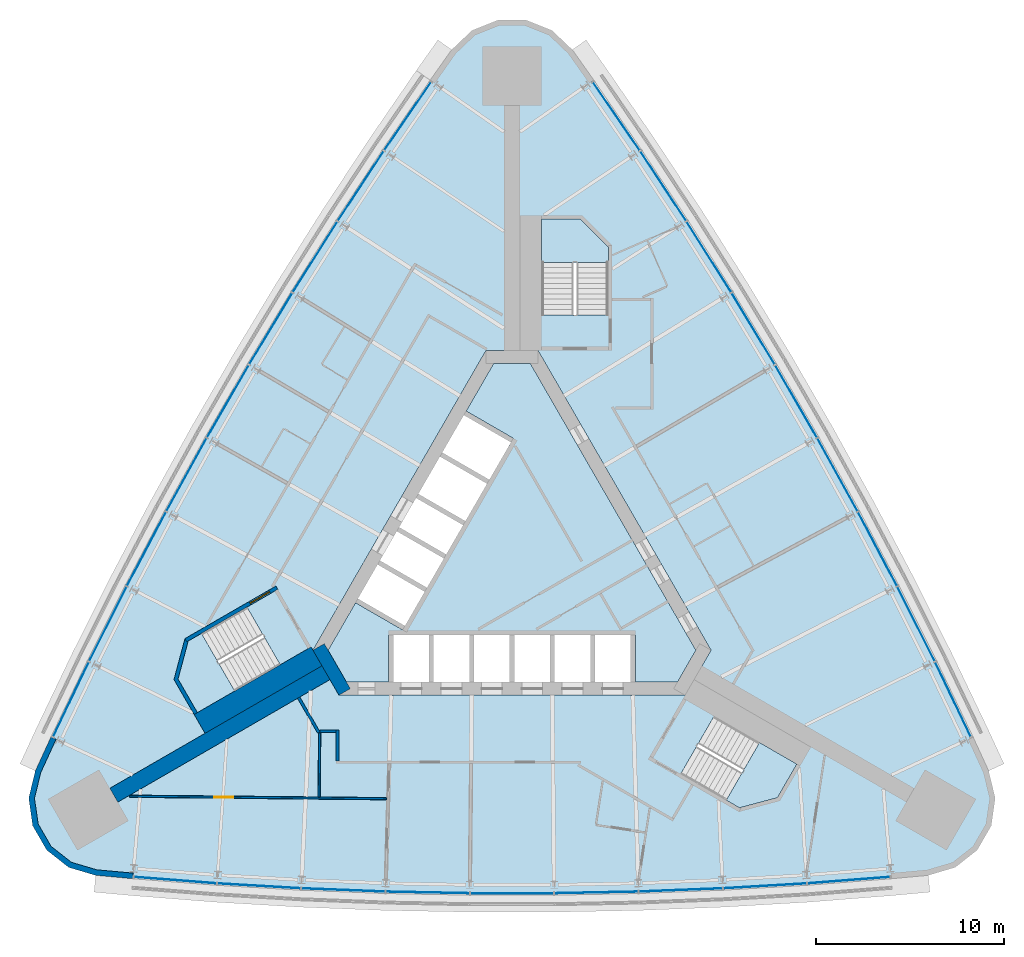
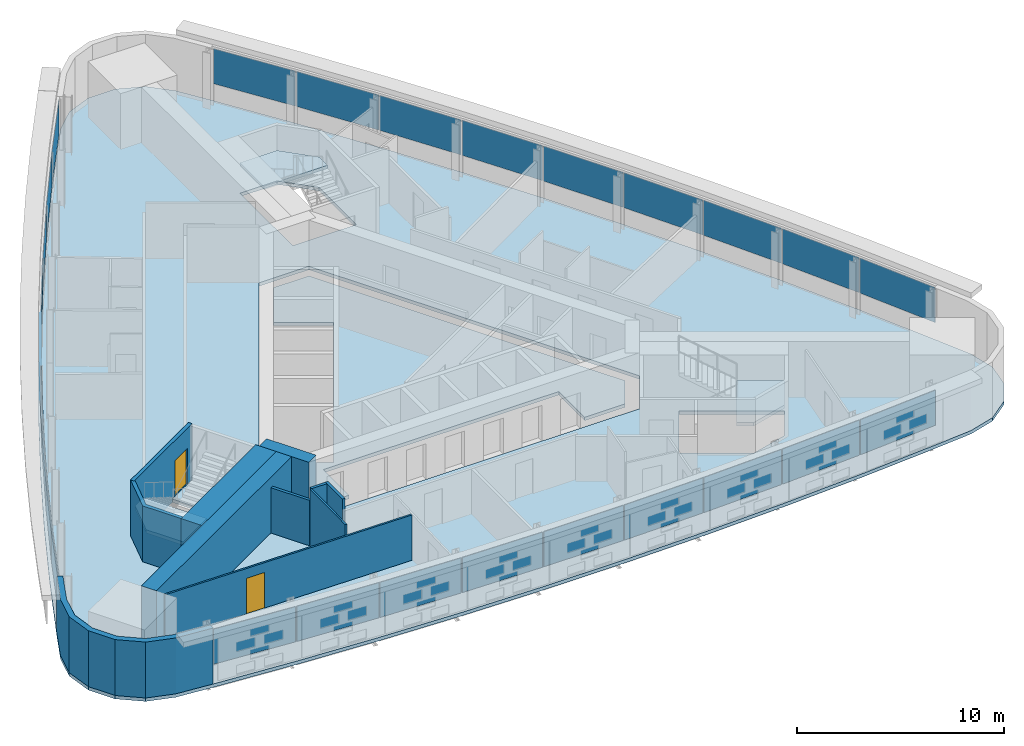
# One storey, part 7 of 13: 27 plates, 11 walls, 5 slabs, 2 doors, 2 openings, 6 elements without a shape of their own.
"""IFC4 building model written with IfcOpenShell, lengths in metres."""

from ifc_helpers import new_model, si_unit, direction, frame, frame_2d, origin, origin_2d, place, context, subcontext, project, spatial, polyline, rectangle, outline, extrude, material, layer, layer_set, type_object, element, fill, aggregate, save


model = new_model("IFC4")

# Units and contexts
model_context = context("Model", 3, precision=1e-05, world=origin(), true_north=direction((0.0, 1.0)))
body_context = subcontext(model_context, "Body", "Model", "MODEL_VIEW")
ifc_project = project(units=[si_unit("LENGTHUNIT", "METRE"), si_unit("AREAUNIT", "SQUARE_METRE"), si_unit("VOLUMEUNIT", "CUBIC_METRE"), si_unit("PLANEANGLEUNIT", "RADIAN"), si_unit("MASSUNIT", "GRAM", prefix="KILO")], contexts=[model_context])

# Site, building, storey
site_placement = place(None, origin())
site = spatial("IfcSite", under=ifc_project, at=site_placement, CompositionType="ELEMENT")
building_placement = place(site_placement, origin())
building = spatial("IfcBuilding", under=site, at=building_placement, Name="Noor Cloister Tower", CompositionType="ELEMENT")
storey_placement = place(building_placement, frame((0.0, 0.0, 83.39990234375)))
storey = spatial("IfcBuildingStorey", under=building, at=storey_placement, Name="L21", CompositionType="ELEMENT", Elevation=83.39990234375)

# Slabs
ifc_material_1 = material(Name="Concrete C40/50", Category="concrete")
ifc_layer_1 = layer(ifc_material_1, 0.199951171875)
ifc_layer_set_1 = layer_set([ifc_layer_1], Name="Core floor slab 200 C40/50")
slab_type_1 = type_object("IfcSlabType", Name="Core floor slab 200 C40/50", PredefinedType="FLOOR", material=ifc_layer_set_1)
slab_1_placement = place(storey_placement, frame((0.0, 0.0, -0.199951171875)))
element("IfcSlab", 1, at=slab_1_placement, inside=storey, type_object=slab_type_1, Name="Core floor L21", PredefinedType="FLOOR", context=body_context, shape_type="SweptSolid", body=[
    extrude(outline(polyline([(-6.574951171875, -6.228271484375), (-6.574951171875, -3.728271484375), (6.574951171875, -3.728271484375), (6.574951171875, -6.228271484375), (8.82470703125, -6.228271484375), (9.80615234375, -4.5283203125), (0.9814453125, 10.75634765625), (-0.9814453125, 10.75634765625), (-2.44384765625, 8.2236328125), (0.067626953125, 6.773681640625), (-5.832275390625, -3.4453125), (-8.34375, -1.995361328125), (-9.80615234375, -4.5283203125), (-8.82470703125, -6.228271484375), (-6.574951171875, -6.228271484375)])), origin(), (0.0, 0.0, 1.0), 0.199951171875),
])
ifc_material_2 = material(Name="Concrete C40/50", Category="concrete")
ifc_layer_2 = layer(ifc_material_2, 0.199951171875)
ifc_layer_set_2 = layer_set([ifc_layer_2], Name="Floor slab 200 C40/50")
slab_type_2 = type_object("IfcSlabType", Name="Floor slab 200 C40/50", PredefinedType="FLOOR", material=ifc_layer_set_2)
slab_2_placement = place(storey_placement, frame((0.0, 0.0, -0.199951171875)))
element("IfcSlab", 2, at=slab_2_placement, inside=storey, type_object=slab_type_2, Name="Floor slab L21", PredefinedType="FLOOR", context=body_context, shape_type="SweptSolid", body=[
    extrude(outline(polyline([(3.216796875, 27.4951171875), (2.134521484375, 28.525390625), (0.7470703125, 29.080078125), (-0.7470703125, 29.080078125), (-2.134521484375, 28.525390625), (-3.216796875, 27.4951171875), (-4.3642578125, 25.87255859375), (-6.910888671875, 22.162353515625), (-9.384521484375, 18.4033203125), (-11.78466796875, 14.596923828125), (-14.110107421875, 10.744384765625), (-16.360107421875, 6.847412109375), (-18.53369140625, 2.9072265625), (-20.630126953125, -1.074462890625), (-22.648681640625, -5.09619140625), (-24.58837890625, -9.15673828125), (-25.419921875, -10.961669921875), (-25.770751953125, -12.4140625), (-25.5576171875, -13.89306640625), (-24.810546875, -15.18701171875), (-23.636474609375, -16.111083984375), (-22.203125, -16.533447265625), (-20.22412109375, -16.7158203125), (-15.73779296875, -17.066162109375), (-11.24560546875, -17.328857421875), (-6.7490234375, -17.504150390625), (-2.25, -17.591796875), (2.25, -17.591796875), (6.7490234375, -17.504150390625), (11.24560546875, -17.328857421875), (15.73779296875, -17.066162109375), (20.22412109375, -16.7158203125), (22.203125, -16.533447265625), (23.636474609375, -16.111083984375), (24.810546875, -15.18701171875), (25.5576171875, -13.89306640625), (25.770751953125, -12.4140625), (25.419921875, -10.961669921875), (24.58837890625, -9.15673828125), (22.648681640625, -5.09619140625), (20.630126953125, -1.074462890625), (18.53369140625, 2.9072265625), (16.360107421875, 6.847412109375), (14.110107421875, 10.744384765625), (11.78466796875, 14.596923828125), (9.384521484375, 18.4033203125), (6.910888671875, 22.162353515625), (4.3642578125, 25.87255859375), (3.216796875, 27.4951171875)]), holes=[polyline([(8.999755859375, -11.126220703125), (12.131591796875, -12.934326171875), (14.1572265625, -12.3916015625), (15.19091796875, -10.601318359375), (10.774658203125, -8.0517578125), (8.999755859375, -11.126220703125)]), polyline([(-17.81005859375, -6.064697265625), (-16.776611328125, -7.85498046875), (-12.3603515625, -5.305419921875), (-14.13525390625, -2.23095703125), (-16.662841796875, -3.690185546875), (-17.267333984375, -4.039306640625), (-17.81005859375, -6.064697265625)]), polyline([(-10.6142578125, -4.5283203125), (-9.228759765625, -6.92822265625), (9.228759765625, -6.92822265625), (10.6142578125, -4.5283203125), (1.3857421875, 11.456298828125), (-1.3857421875, 11.456298828125), (-10.6142578125, -4.5283203125)]), polyline([(3.65283203125, 18.456298828125), (1.585693359375, 18.456298828125), (1.585693359375, 13.35693359375), (5.135498046875, 13.35693359375), (5.135498046875, 16.9736328125), (3.65283203125, 18.456298828125)])]), origin(), (0.0, 0.0, 1.0), 0.199951171875),
])

# Curtain wall, plates
ifc_material_3 = material(Name="Aluminium 6063-T6 anodised", Category="aluminium")
curtain_wall_type = type_object("IfcCurtainWallType", Name="Ribbon curtain wall, lower tower CW1", PredefinedType="NOTDEFINED", material=ifc_material_3)
curtain_wall_1_placement = place(storey_placement, origin())
curtain_wall_1 = element("IfcCurtainWall", 3, at=curtain_wall_1_placement, inside=storey, type_object=curtain_wall_type, Name="CW1 L21 NW run 1", PredefinedType="NOTDEFINED")
ifc_material_4 = material(Name="Clear laminated glass 2 x 8 mm", Category="glass")
ifc_layer_3 = layer(ifc_material_4, 0.028076171875)
ifc_layer_set_3 = layer_set([ifc_layer_3], Name="Glass panel CW1")
plate_type = type_object("IfcPlateType", Name="Glass panel CW1", PredefinedType="CURTAIN_PANEL", material=ifc_layer_set_3)
plate_1_placement = place(storey_placement, frame((-5.566162109375, 23.94482421875, 1.08984375), z_axis=(0.0, 0.0, 1.0), x_axis=(-0.565895290492, -0.82447711927, 0.0)))
plate_1 = element("IfcPlate", 4, at=plate_1_placement, type_object=plate_type, Name="CW1 glass panel 1", PredefinedType="CURTAIN_PANEL", context=body_context, shape_type="SweptSolid", body=[
    extrude(rectangle(XDim=4.39892578125, YDim=0.028076171875, at=origin_2d()), origin(), (0.0, 0.0, 1.0), 2.070068359375),
])
plate_2_placement = place(storey_placement, frame((-8.064208984375, 20.22802734375, 1.08984375), z_axis=(0.0, 0.0, 1.0), x_axis=(-0.549728136539, -0.835343627436, 0.0)))
plate_2 = element("IfcPlate", 5, at=plate_2_placement, type_object=plate_type, Name="CW1 glass panel 2", PredefinedType="CURTAIN_PANEL", context=body_context, shape_type="SweptSolid", body=[
    extrude(rectangle(XDim=4.43798828125, YDim=0.028076171875, at=origin_2d()), origin(), (0.0, 0.0, 1.0), 2.070068359375),
])
plate_3_placement = place(storey_placement, frame((-10.5, 16.44677734375, 1.08984375), z_axis=(0.0, 0.0, 1.0), x_axis=(-0.533352369157, -0.845893167199, 0.0)))
plate_3 = element("IfcPlate", 6, at=plate_3_placement, type_object=plate_type, Name="CW1 glass panel 3", PredefinedType="CURTAIN_PANEL", context=body_context, shape_type="SweptSolid", body=[
    extrude(rectangle(XDim=4.43798828125, YDim=0.028076171875, at=origin_2d()), origin(), (0.0, 0.0, 1.0), 2.070068359375),
])
plate_4_placement = place(storey_placement, frame((-12.86181640625, 12.619140625, 1.08984375), z_axis=(0.0, 0.0, 1.0), x_axis=(-0.516774231602, -0.856121716552, 0.0)))
plate_4 = element("IfcPlate", 7, at=plate_4_placement, type_object=plate_type, Name="CW1 glass panel 4", PredefinedType="CURTAIN_PANEL", context=body_context, shape_type="SweptSolid", body=[
    extrude(rectangle(XDim=4.43798828125, YDim=0.028076171875, at=origin_2d()), origin(), (0.0, 0.0, 1.0), 2.070068359375),
])
plate_5_placement = place(storey_placement, frame((-15.1484375, 8.745849609375, 1.08984375), z_axis=(0.0, 0.0, 1.0), x_axis=(-0.5, -0.866025403784, 0.0)))
plate_5 = element("IfcPlate", 8, at=plate_5_placement, type_object=plate_type, Name="CW1 glass panel 5", PredefinedType="CURTAIN_PANEL", context=body_context, shape_type="SweptSolid", body=[
    extrude(rectangle(XDim=4.43798828125, YDim=0.028076171875, at=origin_2d()), origin(), (0.0, 0.0, 1.0), 2.070068359375),
])
plate_6_placement = place(storey_placement, frame((-17.359130859375, 4.8291015625, 1.08984375), z_axis=(0.0, 0.0, 1.0), x_axis=(-0.483036039464, -0.875600470865, 0.0)))
plate_6 = element("IfcPlate", 9, at=plate_6_placement, type_object=plate_type, Name="CW1 glass panel 6", PredefinedType="CURTAIN_PANEL", context=body_context, shape_type="SweptSolid", body=[
    extrude(rectangle(XDim=4.43798828125, YDim=0.028076171875, at=origin_2d()), origin(), (0.0, 0.0, 1.0), 2.070068359375),
])
plate_7_placement = place(storey_placement, frame((-19.493408203125, 0.869873046875, 1.08984375), z_axis=(0.0, 0.0, 1.0), x_axis=(-0.465888787104, -0.884843284458, 0.0)))
plate_7 = element("IfcPlate", 10, at=plate_7_placement, type_object=plate_type, Name="CW1 glass panel 7", PredefinedType="CURTAIN_PANEL", context=body_context, shape_type="SweptSolid", body=[
    extrude(rectangle(XDim=4.43798828125, YDim=0.028076171875, at=origin_2d()), origin(), (0.0, 0.0, 1.0), 2.070068359375),
])
plate_8_placement = place(storey_placement, frame((-21.550048828125, -3.130126953125, 1.08984375), z_axis=(0.0, 0.0, 1.0), x_axis=(-0.448564733979, -0.893750345136, 0.0)))
plate_8 = element("IfcPlate", 11, at=plate_8_placement, type_object=plate_type, Name="CW1 glass panel 8", PredefinedType="CURTAIN_PANEL", context=body_context, shape_type="SweptSolid", body=[
    extrude(rectangle(XDim=4.43798828125, YDim=0.028076171875, at=origin_2d()), origin(), (0.0, 0.0, 1.0), 2.070068359375),
])
plate_9_placement = place(storey_placement, frame((-23.519775390625, -7.15185546875, 1.08984375), z_axis=(0.0, 0.0, 1.0), x_axis=(-0.431070484881, -0.902318257083, 0.0)))
plate_9 = element("IfcPlate", 12, at=plate_9_placement, type_object=plate_type, Name="CW1 glass panel 9", PredefinedType="CURTAIN_PANEL", context=body_context, shape_type="SweptSolid", body=[
    extrude(rectangle(XDim=4.39892578125, YDim=0.028076171875, at=origin_2d()), origin(), (0.0, 0.0, 1.0), 2.070068359375),
])
aggregate(curtain_wall_1, [plate_1, plate_2, plate_3, plate_4, plate_5, plate_6, plate_7, plate_8, plate_9])

curtain_wall_2_placement = place(storey_placement, origin())
curtain_wall_2 = element("IfcCurtainWall", 13, at=curtain_wall_2_placement, inside=storey, type_object=curtain_wall_type, Name="CW1 L21 S run 2", PredefinedType="NOTDEFINED")
plate_10_placement = place(storey_placement, frame((-17.95361328125, -16.792724609375, 1.08984375), z_axis=(0.0, 0.0, 1.0), x_axis=(0.996965775372, -0.077841137813, 0.0)))
plate_10 = element("IfcPlate", 14, at=plate_10_placement, type_object=plate_type, Name="CW1 glass panel 1", PredefinedType="CURTAIN_PANEL", context=body_context, shape_type="SweptSolid", body=[
    extrude(rectangle(XDim=4.39892578125, YDim=0.028076171875, at=origin_2d()), origin(), (0.0, 0.0, 1.0), 2.070068359375),
])
plate_11_placement = place(storey_placement, frame((-13.48583984375, -17.09765625, 1.08984375), z_axis=(0.0, 0.0, 1.0), x_axis=(0.998292870518, -0.0584067177, 0.0)))
plate_11 = element("IfcPlate", 15, at=plate_11_placement, type_object=plate_type, Name="CW1 glass panel 2", PredefinedType="CURTAIN_PANEL", context=body_context, shape_type="SweptSolid", body=[
    extrude(rectangle(XDim=4.43798828125, YDim=0.028076171875, at=origin_2d()), origin(), (0.0, 0.0, 1.0), 2.070068359375),
])
plate_12_placement = place(storey_placement, frame((-8.993408203125, -17.316650390625, 1.08984375), z_axis=(0.0, 0.0, 1.0), x_axis=(0.999241156261, -0.038950117259, 0.0)))
plate_12 = element("IfcPlate", 16, at=plate_12_placement, type_object=plate_type, Name="CW1 glass panel 3", PredefinedType="CURTAIN_PANEL", context=body_context, shape_type="SweptSolid", body=[
    extrude(rectangle(XDim=4.43798828125, YDim=0.028076171875, at=origin_2d()), origin(), (0.0, 0.0, 1.0), 2.070068359375),
])
plate_13_placement = place(storey_placement, frame((-4.49755859375, -17.447998046875, 1.08984375), z_axis=(0.0, 0.0, 1.0), x_axis=(0.999810271067, -0.019478754313, 0.0)))
plate_13 = element("IfcPlate", 17, at=plate_13_placement, type_object=plate_type, Name="CW1 glass panel 4", PredefinedType="CURTAIN_PANEL", context=body_context, shape_type="SweptSolid", body=[
    extrude(rectangle(XDim=4.43798828125, YDim=0.028076171875, at=origin_2d()), origin(), (0.0, 0.0, 1.0), 2.070068359375),
])
plate_14_placement = place(storey_placement, frame((0.0, -17.491943359375, 1.08984375), z_axis=(0.0, 0.0, 1.0), x_axis=(1.0, 0.0, 0.0)))
plate_14 = element("IfcPlate", 18, at=plate_14_placement, type_object=plate_type, Name="CW1 glass panel 5", PredefinedType="CURTAIN_PANEL", context=body_context, shape_type="SweptSolid", body=[
    extrude(rectangle(XDim=4.43798828125, YDim=0.028076171875, at=origin_2d()), origin(), (0.0, 0.0, 1.0), 2.070068359375),
])
plate_15_placement = place(storey_placement, frame((4.49755859375, -17.447998046875, 1.08984375), z_axis=(0.0, 0.0, 1.0), x_axis=(0.999810271067, 0.019478754313, 0.0)))
plate_15 = element("IfcPlate", 19, at=plate_15_placement, type_object=plate_type, Name="CW1 glass panel 6", PredefinedType="CURTAIN_PANEL", context=body_context, shape_type="SweptSolid", body=[
    extrude(rectangle(XDim=4.43798828125, YDim=0.028076171875, at=origin_2d()), origin(), (0.0, 0.0, 1.0), 2.070068359375),
])
plate_16_placement = place(storey_placement, frame((8.993408203125, -17.316650390625, 1.08984375), z_axis=(0.0, 0.0, 1.0), x_axis=(0.999241156261, 0.038950117259, 0.0)))
plate_16 = element("IfcPlate", 20, at=plate_16_placement, type_object=plate_type, Name="CW1 glass panel 7", PredefinedType="CURTAIN_PANEL", context=body_context, shape_type="SweptSolid", body=[
    extrude(rectangle(XDim=4.43798828125, YDim=0.028076171875, at=origin_2d()), origin(), (0.0, 0.0, 1.0), 2.070068359375),
])
plate_17_placement = place(storey_placement, frame((13.48583984375, -17.09765625, 1.08984375), z_axis=(0.0, 0.0, 1.0), x_axis=(0.998292870518, 0.0584067177, 0.0)))
plate_17 = element("IfcPlate", 21, at=plate_17_placement, type_object=plate_type, Name="CW1 glass panel 8", PredefinedType="CURTAIN_PANEL", context=body_context, shape_type="SweptSolid", body=[
    extrude(rectangle(XDim=4.43798828125, YDim=0.028076171875, at=origin_2d()), origin(), (0.0, 0.0, 1.0), 2.070068359375),
])
plate_18_placement = place(storey_placement, frame((17.95361328125, -16.792724609375, 1.08984375), z_axis=(0.0, 0.0, 1.0), x_axis=(0.996965775372, 0.077841137813, 0.0)))
plate_18 = element("IfcPlate", 22, at=plate_18_placement, type_object=plate_type, Name="CW1 glass panel 9", PredefinedType="CURTAIN_PANEL", context=body_context, shape_type="SweptSolid", body=[
    extrude(rectangle(XDim=4.39892578125, YDim=0.028076171875, at=origin_2d()), origin(), (0.0, 0.0, 1.0), 2.070068359375),
])
aggregate(curtain_wall_2, [plate_10, plate_11, plate_12, plate_13, plate_14, plate_15, plate_16, plate_17, plate_18])

curtain_wall_3_placement = place(storey_placement, origin())
curtain_wall_3 = element("IfcCurtainWall", 23, at=curtain_wall_3_placement, inside=storey, type_object=curtain_wall_type, Name="CW1 L21 NE run 3", PredefinedType="NOTDEFINED")
plate_19_placement = place(storey_placement, frame((23.519775390625, -7.15185546875, 1.08984375), z_axis=(0.0, 0.0, 1.0), x_axis=(-0.431070484881, 0.902318257083, 0.0)))
plate_19 = element("IfcPlate", 24, at=plate_19_placement, type_object=plate_type, Name="CW1 glass panel 1", PredefinedType="CURTAIN_PANEL", context=body_context, shape_type="SweptSolid", body=[
    extrude(rectangle(XDim=4.39892578125, YDim=0.028076171875, at=origin_2d()), origin(), (0.0, 0.0, 1.0), 2.070068359375),
])
plate_20_placement = place(storey_placement, frame((21.550048828125, -3.130126953125, 1.08984375), z_axis=(0.0, 0.0, 1.0), x_axis=(-0.448564733979, 0.893750345136, 0.0)))
plate_20 = element("IfcPlate", 25, at=plate_20_placement, type_object=plate_type, Name="CW1 glass panel 2", PredefinedType="CURTAIN_PANEL", context=body_context, shape_type="SweptSolid", body=[
    extrude(rectangle(XDim=4.43798828125, YDim=0.028076171875, at=origin_2d()), origin(), (0.0, 0.0, 1.0), 2.070068359375),
])
plate_21_placement = place(storey_placement, frame((19.493408203125, 0.869873046875, 1.08984375), z_axis=(0.0, 0.0, 1.0), x_axis=(-0.465888787104, 0.884843284458, 0.0)))
plate_21 = element("IfcPlate", 26, at=plate_21_placement, type_object=plate_type, Name="CW1 glass panel 3", PredefinedType="CURTAIN_PANEL", context=body_context, shape_type="SweptSolid", body=[
    extrude(rectangle(XDim=4.43798828125, YDim=0.028076171875, at=origin_2d()), origin(), (0.0, 0.0, 1.0), 2.070068359375),
])
plate_22_placement = place(storey_placement, frame((17.359130859375, 4.8291015625, 1.08984375), z_axis=(0.0, 0.0, 1.0), x_axis=(-0.483036039464, 0.875600470865, 0.0)))
plate_22 = element("IfcPlate", 27, at=plate_22_placement, type_object=plate_type, Name="CW1 glass panel 4", PredefinedType="CURTAIN_PANEL", context=body_context, shape_type="SweptSolid", body=[
    extrude(rectangle(XDim=4.43798828125, YDim=0.028076171875, at=origin_2d()), origin(), (0.0, 0.0, 1.0), 2.070068359375),
])
plate_23_placement = place(storey_placement, frame((15.1484375, 8.745849609375, 1.08984375), z_axis=(0.0, 0.0, 1.0), x_axis=(-0.5, 0.866025403784, 0.0)))
plate_23 = element("IfcPlate", 28, at=plate_23_placement, type_object=plate_type, Name="CW1 glass panel 5", PredefinedType="CURTAIN_PANEL", context=body_context, shape_type="SweptSolid", body=[
    extrude(rectangle(XDim=4.43798828125, YDim=0.028076171875, at=origin_2d()), origin(), (0.0, 0.0, 1.0), 2.070068359375),
])
plate_24_placement = place(storey_placement, frame((12.86181640625, 12.619140625, 1.08984375), z_axis=(0.0, 0.0, 1.0), x_axis=(-0.516774231602, 0.856121716552, 0.0)))
plate_24 = element("IfcPlate", 29, at=plate_24_placement, type_object=plate_type, Name="CW1 glass panel 6", PredefinedType="CURTAIN_PANEL", context=body_context, shape_type="SweptSolid", body=[
    extrude(rectangle(XDim=4.43798828125, YDim=0.028076171875, at=origin_2d()), origin(), (0.0, 0.0, 1.0), 2.070068359375),
])
plate_25_placement = place(storey_placement, frame((10.5, 16.44677734375, 1.08984375), z_axis=(0.0, 0.0, 1.0), x_axis=(-0.533352369157, 0.845893167199, 0.0)))
plate_25 = element("IfcPlate", 30, at=plate_25_placement, type_object=plate_type, Name="CW1 glass panel 7", PredefinedType="CURTAIN_PANEL", context=body_context, shape_type="SweptSolid", body=[
    extrude(rectangle(XDim=4.43798828125, YDim=0.028076171875, at=origin_2d()), origin(), (0.0, 0.0, 1.0), 2.070068359375),
])
plate_26_placement = place(storey_placement, frame((8.064208984375, 20.22802734375, 1.08984375), z_axis=(0.0, 0.0, 1.0), x_axis=(-0.549728136539, 0.835343627436, 0.0)))
plate_26 = element("IfcPlate", 31, at=plate_26_placement, type_object=plate_type, Name="CW1 glass panel 8", PredefinedType="CURTAIN_PANEL", context=body_context, shape_type="SweptSolid", body=[
    extrude(rectangle(XDim=4.43798828125, YDim=0.028076171875, at=origin_2d()), origin(), (0.0, 0.0, 1.0), 2.070068359375),
])
plate_27_placement = place(storey_placement, frame((5.566162109375, 23.94482421875, 1.08984375), z_axis=(0.0, 0.0, 1.0), x_axis=(-0.565895290492, 0.82447711927, 0.0)))
plate_27 = element("IfcPlate", 32, at=plate_27_placement, type_object=plate_type, Name="CW1 glass panel 9", PredefinedType="CURTAIN_PANEL", context=body_context, shape_type="SweptSolid", body=[
    extrude(rectangle(XDim=4.39892578125, YDim=0.028076171875, at=origin_2d()), origin(), (0.0, 0.0, 1.0), 2.070068359375),
])
aggregate(curtain_wall_3, [plate_19, plate_20, plate_21, plate_22, plate_23, plate_24, plate_25, plate_26, plate_27])

# Stair, slab
ifc_material_5 = material(Name="Concrete C40/50", Category="concrete")
stair_type = type_object("IfcStairType", Name="Exit stair 22 risers", PredefinedType="HALF_TURN_STAIR", material=ifc_material_5)
stair_1_placement = place(storey_placement, origin())
stair_1 = element("IfcStair", 33, at=stair_1_placement, inside=storey, type_object=stair_type, Name="Exit stair ST1 L21", PredefinedType="HALF_TURN_STAIR")
ifc_material_6 = material(Name="Concrete C40/50", Category="concrete")
ifc_layer_4 = layer(ifc_material_6, 0.199951171875)
ifc_layer_set_4 = layer_set([ifc_layer_4], Name="Stair landing 200 C40/50")
slab_type_3 = type_object("IfcSlabType", Name="Stair landing 200 C40/50", PredefinedType="LANDING", material=ifc_layer_set_4)
slab_3_placement = place(storey_placement, frame((0.0, 0.0, 1.60009765625)))
slab_3 = element("IfcSlab", 34, at=slab_3_placement, type_object=slab_type_3, Name="ST1 landing 1", PredefinedType="LANDING", context=body_context, shape_type="SweptSolid", body=[
    extrude(outline(polyline([(5.135498046875, 16.15576171875), (5.135498046875, 16.9736328125), (3.65283203125, 18.456298828125), (1.585693359375, 18.456298828125), (1.585693359375, 16.15576171875), (5.135498046875, 16.15576171875)])), origin(), (0.0, 0.0, 1.0), 0.199951171875),
])
aggregate(stair_1, [slab_3])

stair_2_placement = place(storey_placement, origin())
stair_2 = element("IfcStair", 35, at=stair_2_placement, inside=storey, type_object=stair_type, Name="Exit stair ST2 L21", PredefinedType="HALF_TURN_STAIR")
slab_4_placement = place(storey_placement, frame((0.0, 0.0, 1.60009765625)))
slab_4 = element("IfcSlab", 36, at=slab_4_placement, type_object=slab_type_3, Name="ST2 landing 1", PredefinedType="LANDING", context=body_context, shape_type="SweptSolid", body=[
    extrude(outline(polyline([(-16.55908203125, -3.63037109375), (-17.267333984375, -4.039306640625), (-17.81005859375, -6.064697265625), (-16.776611328125, -7.85498046875), (-14.7841796875, -6.70458984375), (-16.55908203125, -3.63037109375)])), origin(), (0.0, 0.0, 1.0), 0.199951171875),
])
aggregate(stair_2, [slab_4])

stair_3_placement = place(storey_placement, origin())
stair_3 = element("IfcStair", 37, at=stair_3_placement, inside=storey, type_object=stair_type, Name="Exit stair ST3 L21", PredefinedType="HALF_TURN_STAIR")
slab_5_placement = place(storey_placement, frame((0.0, 0.0, 1.60009765625)))
slab_5 = element("IfcSlab", 38, at=slab_5_placement, type_object=slab_type_3, Name="ST3 landing 1", PredefinedType="LANDING", context=body_context, shape_type="SweptSolid", body=[
    extrude(outline(polyline([(11.423583984375, -12.525390625), (12.131591796875, -12.934326171875), (14.1572265625, -12.3916015625), (15.19091796875, -10.601318359375), (13.198486328125, -9.451171875), (11.423583984375, -12.525390625)])), origin(), (0.0, 0.0, 1.0), 0.199951171875),
])
aggregate(stair_3, [slab_5])

# Walls
ifc_material_7 = material(Name="Concrete C80/95", Category="concrete")
ifc_layer_5 = layer(ifc_material_7, 0.85009765625)
ifc_layer_set_5 = layer_set([ifc_layer_5], Name="Buttress wall 850 C80/95")
wall_type_1 = type_object("IfcWallType", Name="Buttress wall 850 C80/95", PredefinedType="SHEAR", material=ifc_layer_set_5)
wall_1_placement = place(storey_placement, frame((-9.921630859375, -5.728271484375, -0.199951171875), z_axis=(0.0, 0.0, 1.0), x_axis=(-0.866026565165, -0.499997988424, 0.0)))
element("IfcWall", 39, at=wall_1_placement, inside=storey, type_object=wall_type_1, Name="Buttress wall SW L21", PredefinedType="SHEAR", context=body_context, shape_type="SweptSolid", body=[
    extrude(rectangle(XDim=13.064453125, YDim=0.85009765625, at=frame_2d((6.5322265625, 0.0))), origin(), (0.0, 0.0, 1.0), 3.5),
])
ifc_material_8 = material(Name="Concrete C80/95", Category="concrete")
ifc_layer_6 = layer(ifc_material_8, 0.699951171875)
ifc_layer_set_6 = layer_set([ifc_layer_6], Name="Core wall 700 C80/95")
wall_type_2 = type_object("IfcWallType", Name="Core wall 700 C80/95", PredefinedType="SHEAR", material=ifc_layer_set_6)
wall_2_placement = place(storey_placement, frame((-10.311279296875, -4.353271484375, -0.199951171875), z_axis=(0.0, 0.0, 1.0), x_axis=(0.500042739161, -0.866000726912, 0.0)))
element("IfcWall", 40, at=wall_2_placement, inside=storey, type_object=wall_type_2, Name="Core wall L21 6", PredefinedType="SHEAR", context=body_context, shape_type="SweptSolid", body=[
    extrude(rectangle(XDim=2.771240234375, YDim=0.699951171875, at=frame_2d((1.3857421875, 0.0))), origin(), (0.0, 0.0, 1.0), 3.5),
])
ifc_material_9 = material(Name="Gypsum board partition on steel studs, 150 mm", Category="steel")
ifc_layer_7 = layer(ifc_material_9, 0.14990234375)
ifc_layer_set_7 = layer_set([ifc_layer_7], Name="Flat wall 150")
wall_type_3 = type_object("IfcWallType", Name="Flat wall 150", PredefinedType="PARTITIONING", material=ifc_layer_set_7)
wall_3_placement = place(storey_placement, frame((-11.376220703125, -7.058837890625, 0.0), z_axis=(0.0, 0.0, 1.0), x_axis=(0.500076779081, -0.865981070823, 0.0)))
element("IfcWall", 41, at=wall_3_placement, inside=storey, type_object=wall_type_3, Name="Flat wall 150 L21 012", PredefinedType="PARTITIONING", context=body_context, shape_type="SweptSolid", body=[
    extrude(rectangle(XDim=2.147216796875, YDim=0.14990234375, at=frame_2d((1.07373046875, 0.0))), origin(), (0.0, 0.0, 1.0), 2.677978515625),
])
wall_4_placement = place(storey_placement, frame((-9.3037109375, -10.42822265625, 0.0), z_axis=(0.0, 0.0, 1.0), x_axis=(0.0, 1.0, 0.0)))
element("IfcWall", 42, at=wall_4_placement, inside=storey, type_object=wall_type_3, Name="Flat wall 150 L21 014", PredefinedType="PARTITIONING", context=body_context, shape_type="SweptSolid", body=[
    extrude(rectangle(XDim=1.64990234375, YDim=0.14990234375, at=frame_2d((0.824951171875, 0.0))), origin(), (0.0, 0.0, 1.0), 3.300048828125),
])
wall_5_placement = place(storey_placement, frame((-10.23779296875, -8.853271484375, 0.0), z_axis=(0.0, 0.0, 1.0), x_axis=(1.0, 0.0, 0.0)))
element("IfcWall", 43, at=wall_5_placement, inside=storey, type_object=wall_type_3, Name="Flat wall 150 L21 015", PredefinedType="PARTITIONING", context=body_context, shape_type="SweptSolid", body=[
    extrude(rectangle(XDim=0.859130859375, YDim=0.14990234375, at=frame_2d((0.4296875, 0.0))), origin(), (0.0, 0.0, 1.0), 3.300048828125),
])
ifc_material_10 = material(Name="Limestone", Category="masonry")
ifc_layer_8 = layer(ifc_material_10, 0.300048828125)
ifc_layer_set_8 = layer_set([ifc_layer_8], Name="Limestone cladding 300")
wall_type_4 = type_object("IfcWallType", Name="Limestone cladding 300", PredefinedType="NOTDEFINED", material=ifc_layer_set_8)
wall_6_placement = place(storey_placement, origin())
element("IfcWall", 44, at=wall_6_placement, inside=storey, type_object=wall_type_4, Name="Limestone pier cladding L21 1.1", PredefinedType="NOTDEFINED", context=body_context, shape_type="SweptSolid", body=[
    extrude(outline(polyline([(-24.58837890625, -9.15673828125), (-25.419921875, -10.961669921875), (-25.770751953125, -12.4140625), (-25.5576171875, -13.89306640625), (-24.810546875, -15.18701171875), (-23.636474609375, -16.111083984375), (-22.203125, -16.533447265625), (-20.22412109375, -16.7158203125), (-20.196533203125, -16.417236328125), (-22.146484375, -16.2373046875), (-23.49609375, -15.839599609375), (-24.57958984375, -14.987060546875), (-25.268798828125, -13.79296875), (-25.465576171875, -12.428466796875), (-25.135009765625, -11.060791015625), (-24.31591796875, -9.2822265625), (-24.58837890625, -9.15673828125)])), origin(), (0.0, 0.0, 1.0), 3.300048828125),
])

# Wall, opening, door
ifc_material_11 = material(Name="Gypsum board partition on steel studs, 100 mm", Category="steel")
ifc_layer_9 = layer(ifc_material_11, 0.10009765625)
ifc_layer_set_9 = layer_set([ifc_layer_9], Name="Partition 100")
wall_type_5 = type_object("IfcWallType", Name="Partition 100", PredefinedType="PARTITIONING", material=ifc_layer_set_9)
wall_7_placement = place(storey_placement, frame((-20.392578125, -12.314208984375, 0.0), z_axis=(0.0, 0.0, 1.0), x_axis=(0.999952690336, -0.009727131588, 0.0)))
wall_7 = element("IfcWall", 45, at=wall_7_placement, inside=storey, type_object=wall_type_5, Name="Partition 100 L21 022", PredefinedType="PARTITIONING", context=body_context, shape_type="SweptSolid", body=[
    extrude(rectangle(XDim=13.7041015625, YDim=0.10009765625, at=frame_2d((6.85205078125, 0.0))), origin(), (0.0, 0.0, 1.0), 2.677978515625),
])
opening_1_placement = place(wall_7_placement, frame((4.527099609375, 0.0, 0.0)))
opening_1 = element("IfcOpeningElement", 46, at=opening_1_placement, cuts=wall_7, Name="Opening L21-013", PredefinedType="OPENING", context=body_context, shape_type="SweptSolid", body=[
    extrude(rectangle(XDim=1.0, YDim=2.10009765625, at=frame_2d((0.5, 1.050048828125))), frame((0.0, 0.06005859375, 0.0), z_axis=(0.0, -1.0, 0.0), x_axis=(1.0, 0.0, 0.0)), (0.0, 0.0, 1.0), 0.1201171875),
])
ifc_material_12 = material(Name="Timber door leaf with steel frame", Category="steel")
door_type_1 = type_object("IfcDoorType", Name="Interior door 1000", OperationType="NOTDEFINED", PredefinedType="DOOR", material=ifc_material_12)
door_1_placement = place(opening_1_placement, origin())
door_1 = element("IfcDoor", 47, at=door_1_placement, inside=storey, type_object=door_type_1, Name="Interior door 1000 L21-013", OperationType="SINGLE_SWING_LEFT", OverallHeight=2.10009765625, OverallWidth=1.0, PredefinedType="DOOR", context=body_context, shape_type="SweptSolid", body=[
    extrude(rectangle(XDim=1.0, YDim=2.10009765625, at=frame_2d((0.5, 1.050048828125))), frame((0.0, 0.02490234375, 0.0), z_axis=(0.0, -1.0, 0.0), x_axis=(1.0, 0.0, 0.0)), (0.0, 0.0, 1.0), 0.050048828125),
])
fill(opening_1, door_1)

# Walls
wall_8_placement = place(storey_placement, frame((-10.288330078125, -12.362548828125, 0.0), z_axis=(0.0, 0.0, 1.0), x_axis=(0.009740028537, 0.999952564797, 0.0)))
element("IfcWall", 48, at=wall_8_placement, inside=storey, type_object=wall_type_5, Name="Partition 100 L21 028", PredefinedType="PARTITIONING", context=body_context, shape_type="SweptSolid", body=[
    extrude(rectangle(XDim=3.43408203125, YDim=0.10009765625, at=frame_2d((1.717041015625, 0.0))), origin(), (0.0, 0.0, 1.0), 3.300048828125),
])
ifc_material_13 = material(Name="Concrete C80/95", Category="concrete")
ifc_layer_10 = layer(ifc_material_13, 1.160888671875)
ifc_layer_set_10 = layer_set([ifc_layer_10], Name="Stair enclosure wall 1161 C80/95")
wall_type_6 = type_object("IfcWallType", Name="Stair enclosure wall 1161 C80/95", PredefinedType="SHEAR", material=ifc_layer_set_10)
wall_9_placement = place(storey_placement, frame((-10.42431640625, -4.857666015625, -0.199951171875), z_axis=(0.0, 0.0, 1.0), x_axis=(-0.866033125095, -0.499986626058, 0.0)))
element("IfcWall", 49, at=wall_9_placement, inside=storey, type_object=wall_type_6, Name="Stair enclosure wall ST2 L21 riser side", PredefinedType="SHEAR", context=body_context, shape_type="SweptSolid", body=[
    extrude(rectangle(XDim=7.199951171875, YDim=1.16064453125, at=frame_2d((3.60009765625, 0.0))), origin(), (0.0, 0.0, 1.0), 3.5),
])

# Wall, opening, door
ifc_material_14 = material(Name="Concrete C80/95", Category="concrete")
ifc_layer_11 = layer(ifc_material_14, 0.199951171875)
ifc_layer_set_11 = layer_set([ifc_layer_11], Name="Stair enclosure wall 200 C80/95")
wall_type_7 = type_object("IfcWallType", Name="Stair enclosure wall 200 C80/95", PredefinedType="SHEAR", material=ifc_layer_set_11)
wall_10_placement = place(storey_placement, frame((-12.539306640625, -1.194091796875, -0.199951171875), z_axis=(0.0, 0.0, 1.0), x_axis=(-0.866045472092, -0.499965239061, 0.0)))
wall_10 = element("IfcWall", 50, at=wall_10_placement, inside=storey, type_object=wall_type_7, Name="Stair enclosure wall ST2 L21 outer side", PredefinedType="SHEAR", context=body_context, shape_type="SweptSolid", body=[
    extrude(rectangle(XDim=5.60009765625, YDim=0.199951171875, at=frame_2d((2.800048828125, 0.0))), origin(), (0.0, 0.0, 1.0), 3.5),
])
opening_2_placement = place(wall_10_placement, frame((0.449951171875, 0.0, 0.199951171875)))
opening_2 = element("IfcOpeningElement", 51, at=opening_2_placement, cuts=wall_10, Name="Opening L21-ST2C", PredefinedType="OPENING", context=body_context, shape_type="SweptSolid", body=[
    extrude(rectangle(XDim=1.199951171875, YDim=2.10009765625, at=frame_2d((0.60009765625, 1.050048828125))), frame((0.0, 0.10986328125, 0.0), z_axis=(0.0, -1.0, 0.0), x_axis=(1.0, 0.0, 0.0)), (0.0, 0.0, 1.0), 0.219970703125),
])
ifc_material_15 = material(Name="Steel", Category="steel")
door_type_2 = type_object("IfcDoorType", Name="Stair door 1200 x 2100 FD120", OperationType="SINGLE_SWING_LEFT", PredefinedType="DOOR", material=ifc_material_15)
door_2_placement = place(opening_2_placement, origin())
door_2 = element("IfcDoor", 52, at=door_2_placement, inside=storey, type_object=door_type_2, Name="Stair door ST2 L21", OperationType="SINGLE_SWING_LEFT", OverallHeight=2.10009765625, OverallWidth=1.199951171875, PredefinedType="DOOR", context=body_context, shape_type="SweptSolid", body=[
    extrude(rectangle(XDim=1.199951171875, YDim=2.10009765625, at=frame_2d((0.60009765625, 1.050048828125))), frame((0.0, 0.02490234375, 0.0), z_axis=(0.0, -1.0, 0.0), x_axis=(1.0, 0.0, 0.0)), (0.0, 0.0, 1.0), 0.050048828125),
])
fill(opening_2, door_2)

# Wall
ifc_material_16 = material(Name="Concrete C80/95", Category="concrete")
wall_type_8 = type_object("IfcWallType", Name="Stair far end wall C80/95", PredefinedType="SHEAR", material=ifc_material_16)
wall_11_placement = place(storey_placement, frame((0.0, 0.0, -0.199951171875)))
element("IfcWall", 53, at=wall_11_placement, inside=storey, type_object=wall_type_8, Name="Stair enclosure wall ST2 L21 far end", PredefinedType="SHEAR", context=body_context, shape_type="SweptSolid", body=[
    extrude(outline(polyline([(-17.439208984375, -3.907470703125), (-18.024658203125, -6.093017578125), (-16.94970703125, -7.955078125), (-16.776611328125, -7.85498046875), (-17.81005859375, -6.064697265625), (-17.267333984375, -4.039306640625), (-17.339111328125, -4.08056640625), (-17.339111328125, -4.08056640625), (-17.339111328125, -4.08056640625), (-17.339111328125, -4.08056640625), (-17.339111328125, -4.08056640625), (-17.339111328125, -4.08056640625), (-17.339111328125, -4.08056640625), (-17.339111328125, -4.08056640625), (-17.339111328125, -4.08056640625), (-17.339111328125, -4.08056640625), (-17.339111328125, -4.08056640625), (-17.339111328125, -4.08056640625), (-17.339111328125, -4.08056640625), (-17.339111328125, -4.08056640625), (-17.339111328125, -4.08056640625), (-17.339111328125, -4.08056640625), (-17.339111328125, -4.08056640625), (-17.439208984375, -3.907470703125)])), origin(), (0.0, 0.0, 1.0), 3.5),
])

save(model, "model.ifc")
